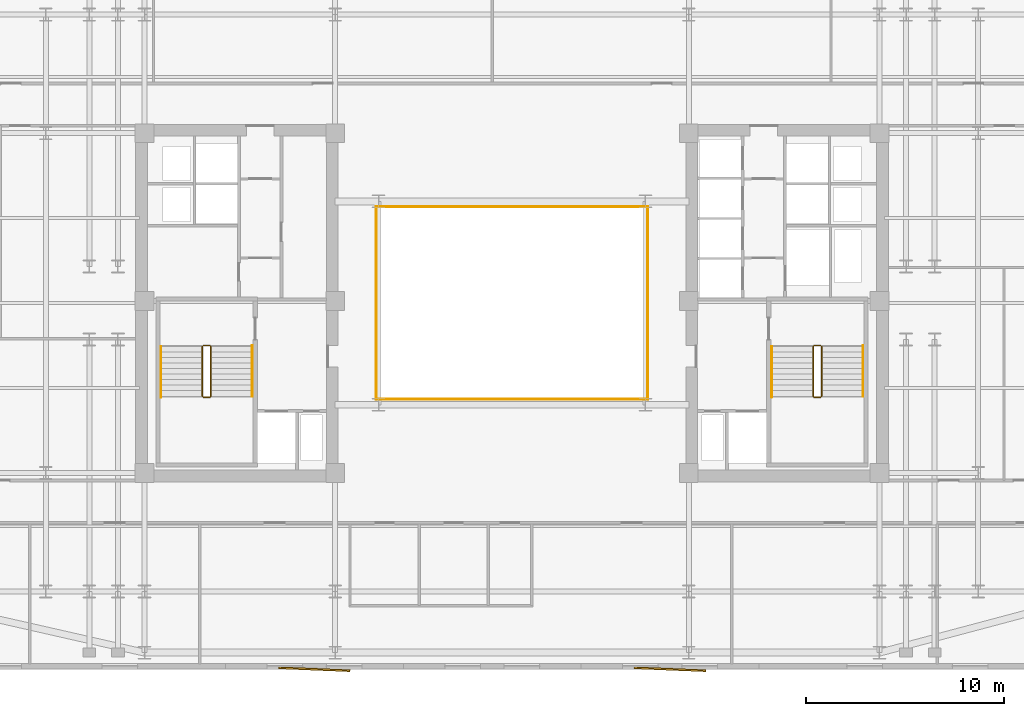
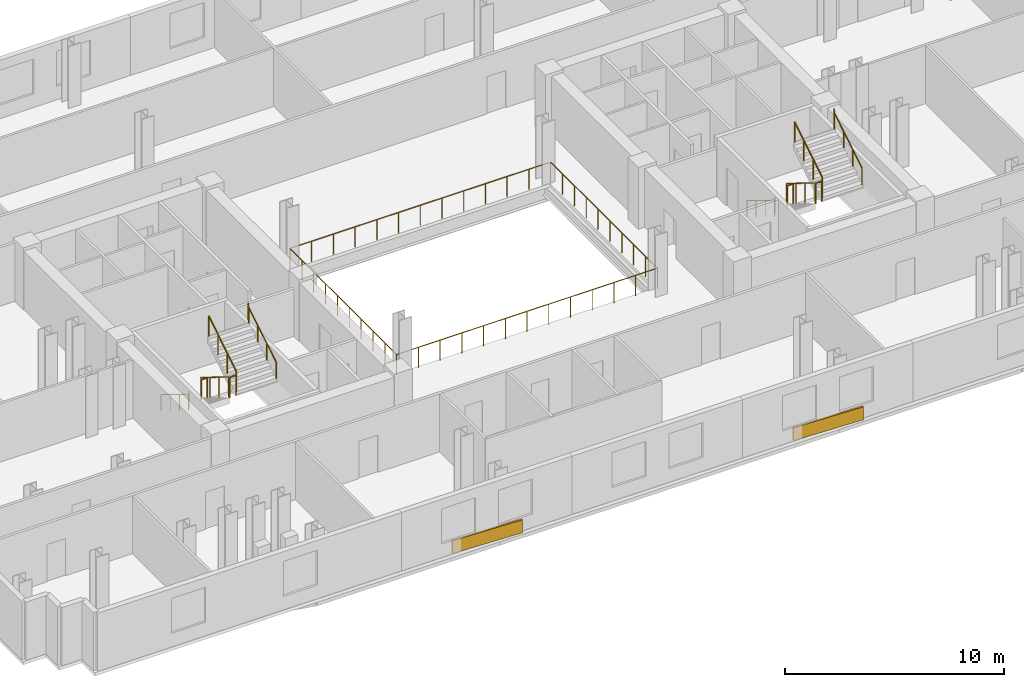
# One storey, part 9 of 10: 16 railings, 2 coverings.
"""IFC4 building model written with IfcOpenShell, lengths in metres."""

from ifc_helpers import new_model, si_unit, direction, frame, origin, origin_2d, place, context, subcontext, project, spatial, rectangle, circle, extrude, material, layer, layer_set, type_object, element, save


model = new_model("IFC4")

# Units and contexts
model_context = context("Model", 3, precision=1e-05, world=origin(), true_north=direction((0.0, 1.0)))
body_context = subcontext(model_context, "Body", "Model", "MODEL_VIEW")
ifc_project = project(units=[si_unit("LENGTHUNIT", "METRE"), si_unit("AREAUNIT", "SQUARE_METRE"), si_unit("VOLUMEUNIT", "CUBIC_METRE"), si_unit("PLANEANGLEUNIT", "RADIAN"), si_unit("MASSUNIT", "GRAM", prefix="KILO")], contexts=[model_context])

# Site, building, storey
site_placement = place(None, origin())
site = spatial("IfcSite", under=ifc_project, at=site_placement, CompositionType="ELEMENT")
building_placement = place(site_placement, origin())
building = spatial("IfcBuilding", under=site, at=building_placement, Name="Velakula Bourse", CompositionType="ELEMENT")
storey_placement = place(building_placement, frame((0.0, 0.0, 145.0)))
storey = spatial("IfcBuildingStorey", under=building, at=storey_placement, Name="L39", CompositionType="ELEMENT", Elevation=145.0)

# Coverings
ifc_material_1 = material(Name="Red kilned clay facing brick masonry", Category="masonry")
ifc_layer = layer(ifc_material_1, 0.090087890625, Name="Red kilned clay facing brick masonry", Category="masonry")
ifc_layer_set = layer_set([ifc_layer], Name="Red kilned clay facing brick masonry")
covering_type = type_object("IfcCoveringType", Name="COV-BRK-FOLD-90", PredefinedType="CLADDING", material=ifc_layer_set)
for number, where, z_axis, x_axis, name in (
    (1, (-10.0, -18.5400390625, 0.0), (0.0, 0.0, 1.0), (0.999158993058, -0.041003738744, 0.0), "L39 Folded Brick Facade Cladding Panel S-B2"),
    (2, (8.0, -18.5400390625, 0.0), (0.0, 0.0, 1.0), (0.999158993058, -0.041003738744, 0.0), "L39 Folded Brick Facade Cladding Panel S-B4"),
):
    element("IfcCovering", number, at=place(storey_placement, frame(where, z_axis=z_axis, x_axis=x_axis)), inside=storey, type_object=covering_type, Name=name, PredefinedType="CLADDING", context=body_context, shape_type="SweptSolid", body=[
        extrude(rectangle(XDim=3.60009765625, YDim=0.090087890625, at=origin_2d()), origin(), (0.0, 0.0, 1.0), 0.719970703125),
    ])

# Railings
ifc_material_2 = material(Name="Brushed grade 316 stainless steel", Category="steel")
railing_type_1 = type_object("IfcRailingType", Name="RLG-ATRIUM-1150", PredefinedType="BALUSTRADE", material=ifc_material_2)
railing_1_placement = place(storey_placement, frame((-6.8798828125, -4.8798828125, 0.0)))
element("IfcRailing", 3, at=railing_1_placement, inside=storey, type_object=railing_type_1, Name="L39 Central Trading Atrium Balustrade S", PredefinedType="BALUSTRADE", context=body_context, shape_type="SweptSolid", body=[
    extrude(circle(Radius=0.02392578125, at=origin_2d()), frame((0.0, 0.0, 1.1259765625), z_axis=(1.0, 0.0, 0.0), x_axis=(0.0, 1.0, 0.0)), (0.0, 0.0, 1.0), 13.759765625),
    extrude(circle(Radius=0.02099609375, at=origin_2d()), origin(), (0.0, 0.0, 1.0), 1.101806640625),
    extrude(circle(Radius=0.02099609375, at=origin_2d()), frame((1.146728515625, 0.0, 0.0)), (0.0, 0.0, 1.0), 1.101806640625),
    extrude(circle(Radius=0.02099609375, at=origin_2d()), frame((2.293212890625, 0.0, 0.0)), (0.0, 0.0, 1.0), 1.101806640625),
    extrude(circle(Radius=0.02099609375, at=origin_2d()), frame((3.43994140625, 0.0, 0.0)), (0.0, 0.0, 1.0), 1.101806640625),
    extrude(circle(Radius=0.02099609375, at=origin_2d()), frame((4.586669921875, 0.0, 0.0)), (0.0, 0.0, 1.0), 1.101806640625),
    extrude(circle(Radius=0.02099609375, at=origin_2d()), frame((5.733154296875, 0.0, 0.0)), (0.0, 0.0, 1.0), 1.101806640625),
    extrude(circle(Radius=0.02099609375, at=origin_2d()), frame((6.8798828125, 0.0, 0.0)), (0.0, 0.0, 1.0), 1.101806640625),
    extrude(circle(Radius=0.02099609375, at=origin_2d()), frame((8.026611328125, 0.0, 0.0)), (0.0, 0.0, 1.0), 1.101806640625),
    extrude(circle(Radius=0.02099609375, at=origin_2d()), frame((9.173095703125, 0.0, 0.0)), (0.0, 0.0, 1.0), 1.101806640625),
    extrude(circle(Radius=0.02099609375, at=origin_2d()), frame((10.31982421875, 0.0, 0.0)), (0.0, 0.0, 1.0), 1.101806640625),
    extrude(circle(Radius=0.02099609375, at=origin_2d()), frame((11.466552734375, 0.0, 0.0)), (0.0, 0.0, 1.0), 1.101806640625),
    extrude(circle(Radius=0.02099609375, at=origin_2d()), frame((12.613037109375, 0.0, 0.0)), (0.0, 0.0, 1.0), 1.101806640625),
    extrude(circle(Radius=0.02099609375, at=origin_2d()), frame((13.759765625, 0.0, 0.0)), (0.0, 0.0, 1.0), 1.101806640625),
])
railing_2_placement = place(storey_placement, frame((6.8798828125, -4.8798828125, 0.0)))
element("IfcRailing", 4, at=railing_2_placement, inside=storey, type_object=railing_type_1, Name="L39 Central Trading Atrium Balustrade E", PredefinedType="BALUSTRADE", context=body_context, shape_type="SweptSolid", body=[
    extrude(circle(Radius=0.02392578125, at=origin_2d()), frame((0.0, 0.0, 1.1259765625), z_axis=(0.0, 1.0, 0.0), x_axis=(-1.0, 0.0, 0.0)), (0.0, 0.0, 1.0), 9.759765625),
    extrude(circle(Radius=0.02099609375, at=origin_2d()), origin(), (0.0, 0.0, 1.0), 1.101806640625),
    extrude(circle(Radius=0.02099609375, at=origin_2d()), frame((0.0, 1.08447265625, 0.0)), (0.0, 0.0, 1.0), 1.101806640625),
    extrude(circle(Radius=0.02099609375, at=origin_2d()), frame((0.0, 2.1689453125, 0.0)), (0.0, 0.0, 1.0), 1.101806640625),
    extrude(circle(Radius=0.02099609375, at=origin_2d()), frame((0.0, 3.253173828125, 0.0)), (0.0, 0.0, 1.0), 1.101806640625),
    extrude(circle(Radius=0.02099609375, at=origin_2d()), frame((0.0, 4.337646484375, 0.0)), (0.0, 0.0, 1.0), 1.101806640625),
    extrude(circle(Radius=0.02099609375, at=origin_2d()), frame((0.0, 5.422119140625, 0.0)), (0.0, 0.0, 1.0), 1.101806640625),
    extrude(circle(Radius=0.02099609375, at=origin_2d()), frame((0.0, 6.506591796875, 0.0)), (0.0, 0.0, 1.0), 1.101806640625),
    extrude(circle(Radius=0.02099609375, at=origin_2d()), frame((0.0, 7.5908203125, 0.0)), (0.0, 0.0, 1.0), 1.101806640625),
    extrude(circle(Radius=0.02099609375, at=origin_2d()), frame((0.0, 8.67529296875, 0.0)), (0.0, 0.0, 1.0), 1.101806640625),
    extrude(circle(Radius=0.02099609375, at=origin_2d()), frame((0.0, 9.759765625, 0.0)), (0.0, 0.0, 1.0), 1.101806640625),
])
railing_3_placement = place(storey_placement, frame((6.8798828125, 4.8798828125, 0.0)))
element("IfcRailing", 5, at=railing_3_placement, inside=storey, type_object=railing_type_1, Name="L39 Central Trading Atrium Balustrade N", PredefinedType="BALUSTRADE", context=body_context, shape_type="SweptSolid", body=[
    extrude(circle(Radius=0.02392578125, at=origin_2d()), frame((0.0, 0.0, 1.1259765625), z_axis=(-1.0, 0.0, 0.0), x_axis=(0.0, -1.0, 0.0)), (0.0, 0.0, 1.0), 13.759765625),
    extrude(circle(Radius=0.02099609375, at=origin_2d()), origin(), (0.0, 0.0, 1.0), 1.101806640625),
    extrude(circle(Radius=0.02099609375, at=origin_2d()), frame((-1.146728515625, 0.0, 0.0)), (0.0, 0.0, 1.0), 1.101806640625),
    extrude(circle(Radius=0.02099609375, at=origin_2d()), frame((-2.293212890625, 0.0, 0.0)), (0.0, 0.0, 1.0), 1.101806640625),
    extrude(circle(Radius=0.02099609375, at=origin_2d()), frame((-3.43994140625, 0.0, 0.0)), (0.0, 0.0, 1.0), 1.101806640625),
    extrude(circle(Radius=0.02099609375, at=origin_2d()), frame((-4.586669921875, 0.0, 0.0)), (0.0, 0.0, 1.0), 1.101806640625),
    extrude(circle(Radius=0.02099609375, at=origin_2d()), frame((-5.733154296875, 0.0, 0.0)), (0.0, 0.0, 1.0), 1.101806640625),
    extrude(circle(Radius=0.02099609375, at=origin_2d()), frame((-6.8798828125, 0.0, 0.0)), (0.0, 0.0, 1.0), 1.101806640625),
    extrude(circle(Radius=0.02099609375, at=origin_2d()), frame((-8.026611328125, 0.0, 0.0)), (0.0, 0.0, 1.0), 1.101806640625),
    extrude(circle(Radius=0.02099609375, at=origin_2d()), frame((-9.173095703125, 0.0, 0.0)), (0.0, 0.0, 1.0), 1.101806640625),
    extrude(circle(Radius=0.02099609375, at=origin_2d()), frame((-10.31982421875, 0.0, 0.0)), (0.0, 0.0, 1.0), 1.101806640625),
    extrude(circle(Radius=0.02099609375, at=origin_2d()), frame((-11.466552734375, 0.0, 0.0)), (0.0, 0.0, 1.0), 1.101806640625),
    extrude(circle(Radius=0.02099609375, at=origin_2d()), frame((-12.613037109375, 0.0, 0.0)), (0.0, 0.0, 1.0), 1.101806640625),
    extrude(circle(Radius=0.02099609375, at=origin_2d()), frame((-13.759765625, 0.0, 0.0)), (0.0, 0.0, 1.0), 1.101806640625),
])
railing_4_placement = place(storey_placement, frame((-6.8798828125, 4.8798828125, 0.0)))
element("IfcRailing", 6, at=railing_4_placement, inside=storey, type_object=railing_type_1, Name="L39 Central Trading Atrium Balustrade W", PredefinedType="BALUSTRADE", context=body_context, shape_type="SweptSolid", body=[
    extrude(circle(Radius=0.02392578125, at=origin_2d()), frame((0.0, 0.0, 1.1259765625), z_axis=(0.0, -1.0, 0.0), x_axis=(1.0, 0.0, 0.0)), (0.0, 0.0, 1.0), 9.759765625),
    extrude(circle(Radius=0.02099609375, at=origin_2d()), origin(), (0.0, 0.0, 1.0), 1.101806640625),
    extrude(circle(Radius=0.02099609375, at=origin_2d()), frame((0.0, -1.08447265625, 0.0)), (0.0, 0.0, 1.0), 1.101806640625),
    extrude(circle(Radius=0.02099609375, at=origin_2d()), frame((0.0, -2.1689453125, 0.0)), (0.0, 0.0, 1.0), 1.101806640625),
    extrude(circle(Radius=0.02099609375, at=origin_2d()), frame((0.0, -3.253173828125, 0.0)), (0.0, 0.0, 1.0), 1.101806640625),
    extrude(circle(Radius=0.02099609375, at=origin_2d()), frame((0.0, -4.337646484375, 0.0)), (0.0, 0.0, 1.0), 1.101806640625),
    extrude(circle(Radius=0.02099609375, at=origin_2d()), frame((0.0, -5.422119140625, 0.0)), (0.0, 0.0, 1.0), 1.101806640625),
    extrude(circle(Radius=0.02099609375, at=origin_2d()), frame((0.0, -6.506591796875, 0.0)), (0.0, 0.0, 1.0), 1.101806640625),
    extrude(circle(Radius=0.02099609375, at=origin_2d()), frame((0.0, -7.5908203125, 0.0)), (0.0, 0.0, 1.0), 1.101806640625),
    extrude(circle(Radius=0.02099609375, at=origin_2d()), frame((0.0, -8.67529296875, 0.0)), (0.0, 0.0, 1.0), 1.101806640625),
    extrude(circle(Radius=0.02099609375, at=origin_2d()), frame((0.0, -9.759765625, 0.0)), (0.0, 0.0, 1.0), 1.101806640625),
])
railing_type_2 = type_object("IfcRailingType", Name="RLG-STAIR-GUARD-1150", PredefinedType="BALUSTRADE", material=ifc_material_2)
railing_5_placement = place(storey_placement, frame((-15.672119140625, -2.199951171875, 0.172607421875)))
element("IfcRailing", 7, at=railing_5_placement, inside=storey, type_object=railing_type_2, Name="L39 ST-W1 stair guard 1", PredefinedType="BALUSTRADE", context=body_context, shape_type="SweptSolid", body=[
    extrude(circle(Radius=0.02490234375, at=origin_2d()), frame((0.0, 0.0, 1.125), z_axis=(0.0, -0.851400495292, 0.524516154772), x_axis=(1.0, 0.0, 0.0)), (0.0, 0.0, 1.0), 2.9599609375),
    extrude(circle(Radius=0.02099609375, at=origin_2d()), origin(), (0.0, 0.0, 1.0), 1.099853515625),
    extrude(circle(Radius=0.02099609375, at=origin_2d()), frame((0.0, -0.840087890625, 0.517578125)), (0.0, 0.0, 1.0), 1.099853515625),
    extrude(circle(Radius=0.02099609375, at=origin_2d()), frame((0.0, -1.679931640625, 1.034912109375)), (0.0, 0.0, 1.0), 1.099853515625),
    extrude(circle(Radius=0.02099609375, at=origin_2d()), frame((0.0, -2.52001953125, 1.552490234375)), (0.0, 0.0, 1.0), 1.099853515625),
])
railing_6_placement = place(storey_placement, frame((-15.6220703125, -4.77001953125, 1.72509765625)))
element("IfcRailing", 8, at=railing_6_placement, inside=storey, type_object=railing_type_2, Name="L39 ST-W1 stair guard 2", PredefinedType="BALUSTRADE", context=body_context, shape_type="SweptSolid", body=[
    extrude(circle(Radius=0.02490234375, at=origin_2d()), frame((0.0, 0.0, 1.125), z_axis=(1.0, 0.0, 0.0), x_axis=(0.0, 1.0, 0.0)), (0.0, 0.0, 1.0), 0.323974609375),
    extrude(circle(Radius=0.02099609375, at=origin_2d()), origin(), (0.0, 0.0, 1.0), 1.099853515625),
    extrude(circle(Radius=0.02099609375, at=origin_2d()), frame((0.323974609375, 0.0, 0.0)), (0.0, 0.0, 1.0), 1.099853515625),
])
railing_7_placement = place(storey_placement, frame((-15.248046875, -4.719970703125, 1.8974609375)))
element("IfcRailing", 9, at=railing_7_placement, inside=storey, type_object=railing_type_2, Name="L39 ST-W1 stair guard 3", PredefinedType="BALUSTRADE", context=body_context, shape_type="SweptSolid", body=[
    extrude(circle(Radius=0.02490234375, at=origin_2d()), frame((0.0, 0.0, 1.125), z_axis=(0.0, 0.851400495292, 0.524516154772), x_axis=(-1.0, 0.0, 0.0)), (0.0, 0.0, 1.0), 2.9599609375),
    extrude(circle(Radius=0.02099609375, at=origin_2d()), origin(), (0.0, 0.0, 1.0), 1.099853515625),
    extrude(circle(Radius=0.02099609375, at=origin_2d()), frame((0.0, 0.840087890625, 0.517578125)), (0.0, 0.0, 1.0), 1.099853515625),
    extrude(circle(Radius=0.02099609375, at=origin_2d()), frame((0.0, 1.679931640625, 1.034912109375)), (0.0, 0.0, 1.0), 1.099853515625),
    extrude(circle(Radius=0.02099609375, at=origin_2d()), frame((0.0, 2.52001953125, 1.552490234375)), (0.0, 0.0, 1.0), 1.099853515625),
])
railing_8_placement = place(storey_placement, frame((-15.6220703125, -2.14990234375, 0.0)))
element("IfcRailing", 10, at=railing_8_placement, inside=storey, type_object=railing_type_2, Name="L39 ST-W1 stair guard 4", PredefinedType="BALUSTRADE", context=body_context, shape_type="SweptSolid", body=[
    extrude(circle(Radius=0.02490234375, at=origin_2d()), frame((0.0, 0.0, 1.125), z_axis=(1.0, 0.0, 0.0), x_axis=(0.0, 1.0, 0.0)), (0.0, 0.0, 1.0), 0.323974609375),
    extrude(circle(Radius=0.02099609375, at=origin_2d()), origin(), (0.0, 0.0, 1.0), 1.099853515625),
    extrude(circle(Radius=0.02099609375, at=origin_2d()), frame((0.323974609375, 0.0, 0.0)), (0.0, 0.0, 1.0), 1.099853515625),
])
railing_9_placement = place(storey_placement, frame((15.248046875, -2.199951171875, 0.172607421875)))
element("IfcRailing", 11, at=railing_9_placement, inside=storey, type_object=railing_type_2, Name="L39 ST-E1 stair guard 1", PredefinedType="BALUSTRADE", context=body_context, shape_type="SweptSolid", body=[
    extrude(circle(Radius=0.02490234375, at=origin_2d()), frame((0.0, 0.0, 1.125), z_axis=(0.0, -0.851400495292, 0.524516154772), x_axis=(1.0, 0.0, 0.0)), (0.0, 0.0, 1.0), 2.9599609375),
    extrude(circle(Radius=0.02099609375, at=origin_2d()), origin(), (0.0, 0.0, 1.0), 1.099853515625),
    extrude(circle(Radius=0.02099609375, at=origin_2d()), frame((0.0, -0.840087890625, 0.517578125)), (0.0, 0.0, 1.0), 1.099853515625),
    extrude(circle(Radius=0.02099609375, at=origin_2d()), frame((0.0, -1.679931640625, 1.034912109375)), (0.0, 0.0, 1.0), 1.099853515625),
    extrude(circle(Radius=0.02099609375, at=origin_2d()), frame((0.0, -2.52001953125, 1.552490234375)), (0.0, 0.0, 1.0), 1.099853515625),
])
railing_10_placement = place(storey_placement, frame((15.298095703125, -4.77001953125, 1.72509765625)))
element("IfcRailing", 12, at=railing_10_placement, inside=storey, type_object=railing_type_2, Name="L39 ST-E1 stair guard 2", PredefinedType="BALUSTRADE", context=body_context, shape_type="SweptSolid", body=[
    extrude(circle(Radius=0.02490234375, at=origin_2d()), frame((0.0, 0.0, 1.125), z_axis=(1.0, 0.0, 0.0), x_axis=(0.0, 1.0, 0.0)), (0.0, 0.0, 1.0), 0.323974609375),
    extrude(circle(Radius=0.02099609375, at=origin_2d()), origin(), (0.0, 0.0, 1.0), 1.099853515625),
    extrude(circle(Radius=0.02099609375, at=origin_2d()), frame((0.323974609375, 0.0, 0.0)), (0.0, 0.0, 1.0), 1.099853515625),
])
railing_11_placement = place(storey_placement, frame((15.672119140625, -4.719970703125, 1.8974609375)))
element("IfcRailing", 13, at=railing_11_placement, inside=storey, type_object=railing_type_2, Name="L39 ST-E1 stair guard 3", PredefinedType="BALUSTRADE", context=body_context, shape_type="SweptSolid", body=[
    extrude(circle(Radius=0.02490234375, at=origin_2d()), frame((0.0, 0.0, 1.125), z_axis=(0.0, 0.851400495292, 0.524516154772), x_axis=(-1.0, 0.0, 0.0)), (0.0, 0.0, 1.0), 2.9599609375),
    extrude(circle(Radius=0.02099609375, at=origin_2d()), origin(), (0.0, 0.0, 1.0), 1.099853515625),
    extrude(circle(Radius=0.02099609375, at=origin_2d()), frame((0.0, 0.840087890625, 0.517578125)), (0.0, 0.0, 1.0), 1.099853515625),
    extrude(circle(Radius=0.02099609375, at=origin_2d()), frame((0.0, 1.679931640625, 1.034912109375)), (0.0, 0.0, 1.0), 1.099853515625),
    extrude(circle(Radius=0.02099609375, at=origin_2d()), frame((0.0, 2.52001953125, 1.552490234375)), (0.0, 0.0, 1.0), 1.099853515625),
])
railing_12_placement = place(storey_placement, frame((15.298095703125, -2.14990234375, 0.0)))
element("IfcRailing", 14, at=railing_12_placement, inside=storey, type_object=railing_type_2, Name="L39 ST-E1 stair guard 4", PredefinedType="BALUSTRADE", context=body_context, shape_type="SweptSolid", body=[
    extrude(circle(Radius=0.02490234375, at=origin_2d()), frame((0.0, 0.0, 1.125), z_axis=(1.0, 0.0, 0.0), x_axis=(0.0, 1.0, 0.0)), (0.0, 0.0, 1.0), 0.323974609375),
    extrude(circle(Radius=0.02099609375, at=origin_2d()), origin(), (0.0, 0.0, 1.0), 1.099853515625),
    extrude(circle(Radius=0.02099609375, at=origin_2d()), frame((0.323974609375, 0.0, 0.0)), (0.0, 0.0, 1.0), 1.099853515625),
])
railing_type_3 = type_object("IfcRailingType", Name="RLG-STAIR-HAND-920", PredefinedType="HANDRAIL", material=ifc_material_2)
railing_13_placement = place(storey_placement, frame((-17.77001953125, -2.199951171875, 0.172607421875)))
element("IfcRailing", 15, at=railing_13_placement, inside=storey, type_object=railing_type_3, Name="L39 ST-W1 stair handrail 1", PredefinedType="HANDRAIL", context=body_context, shape_type="SweptSolid", body=[
    extrude(circle(Radius=0.02099609375, at=origin_2d()), frame((0.0, 0.0, 0.89892578125), z_axis=(0.0, -0.851400495292, 0.524516154772), x_axis=(1.0, 0.0, 0.0)), (0.0, 0.0, 1.0), 2.9599609375),
    extrude(circle(Radius=0.02099609375, at=origin_2d()), frame((0.0, -2.52001953125, 2.451416015625), z_axis=(0.0, -0.226269970362, 0.974064628509), x_axis=(1.0, 0.0, 0.0)), (0.0, 0.0, 1.0), 0.177001953125),
    extrude(circle(Radius=0.02099609375, at=origin_2d()), frame((0.0, -2.56005859375, 2.623779296875), z_axis=(0.0, -1.0, 0.0), x_axis=(1.0, 0.0, 0.0)), (0.0, 0.0, 1.0), 0.0048828125),
    extrude(circle(Radius=0.02099609375, at=origin_2d()), origin(), (0.0, 0.0, 1.0), 0.8779296875),
    extrude(circle(Radius=0.02099609375, at=origin_2d()), frame((0.0, -0.840087890625, 0.517578125)), (0.0, 0.0, 1.0), 0.8779296875),
    extrude(circle(Radius=0.02099609375, at=origin_2d()), frame((0.0, -1.679931640625, 1.034912109375)), (0.0, 0.0, 1.0), 0.8779296875),
    extrude(circle(Radius=0.02099609375, at=origin_2d()), frame((0.0, -2.52001953125, 1.552490234375)), (0.0, 0.0, 1.0), 0.8779296875),
    extrude(circle(Radius=0.02099609375, at=origin_2d()), frame((0.0, -2.56005859375, 1.724853515625)), (0.0, 0.0, 1.0), 0.8779296875),
    extrude(circle(Radius=0.02099609375, at=origin_2d()), frame((0.0, -2.56494140625, 1.724853515625)), (0.0, 0.0, 1.0), 0.8779296875),
])
railing_14_placement = place(storey_placement, frame((-13.14990234375, -4.719970703125, 1.8974609375)))
element("IfcRailing", 16, at=railing_14_placement, inside=storey, type_object=railing_type_3, Name="L39 ST-W1 stair handrail 2", PredefinedType="HANDRAIL", context=body_context, shape_type="SweptSolid", body=[
    extrude(circle(Radius=0.02099609375, at=origin_2d()), frame((0.0, 0.0, 0.89892578125), z_axis=(0.0, 0.851400495292, 0.524516154772), x_axis=(-1.0, 0.0, 0.0)), (0.0, 0.0, 1.0), 2.9599609375),
    extrude(circle(Radius=0.02099609375, at=origin_2d()), frame((0.0, 2.52001953125, 2.451416015625), z_axis=(0.0, 0.22596628056, 0.974135124123), x_axis=(-1.0, 0.0, 0.0)), (0.0, 0.0, 1.0), 0.17724609375),
    extrude(circle(Radius=0.02099609375, at=origin_2d()), frame((0.0, 2.56005859375, 2.6240234375), z_axis=(0.0, 1.0, 0.0), x_axis=(-1.0, 0.0, 0.0)), (0.0, 0.0, 1.0), 0.0048828125),
    extrude(circle(Radius=0.02099609375, at=origin_2d()), origin(), (0.0, 0.0, 1.0), 0.8779296875),
    extrude(circle(Radius=0.02099609375, at=origin_2d()), frame((0.0, 0.840087890625, 0.517578125)), (0.0, 0.0, 1.0), 0.8779296875),
    extrude(circle(Radius=0.02099609375, at=origin_2d()), frame((0.0, 1.679931640625, 1.034912109375)), (0.0, 0.0, 1.0), 0.8779296875),
    extrude(circle(Radius=0.02099609375, at=origin_2d()), frame((0.0, 2.52001953125, 1.552490234375)), (0.0, 0.0, 1.0), 0.8779296875),
    extrude(circle(Radius=0.02099609375, at=origin_2d()), frame((0.0, 2.56005859375, 1.72509765625)), (0.0, 0.0, 1.0), 0.8779296875),
    extrude(circle(Radius=0.02099609375, at=origin_2d()), frame((0.0, 2.56494140625, 1.72509765625)), (0.0, 0.0, 1.0), 0.8779296875),
])
railing_15_placement = place(storey_placement, frame((13.14990234375, -2.199951171875, 0.172607421875)))
element("IfcRailing", 17, at=railing_15_placement, inside=storey, type_object=railing_type_3, Name="L39 ST-E1 stair handrail 1", PredefinedType="HANDRAIL", context=body_context, shape_type="SweptSolid", body=[
    extrude(circle(Radius=0.02099609375, at=origin_2d()), frame((0.0, 0.0, 0.89892578125), z_axis=(0.0, -0.851400495292, 0.524516154772), x_axis=(1.0, 0.0, 0.0)), (0.0, 0.0, 1.0), 2.9599609375),
    extrude(circle(Radius=0.02099609375, at=origin_2d()), frame((0.0, -2.52001953125, 2.451416015625), z_axis=(0.0, -0.226269970362, 0.974064628509), x_axis=(1.0, 0.0, 0.0)), (0.0, 0.0, 1.0), 0.177001953125),
    extrude(circle(Radius=0.02099609375, at=origin_2d()), frame((0.0, -2.56005859375, 2.623779296875), z_axis=(0.0, -1.0, 0.0), x_axis=(1.0, 0.0, 0.0)), (0.0, 0.0, 1.0), 0.0048828125),
    extrude(circle(Radius=0.02099609375, at=origin_2d()), origin(), (0.0, 0.0, 1.0), 0.8779296875),
    extrude(circle(Radius=0.02099609375, at=origin_2d()), frame((0.0, -0.840087890625, 0.517578125)), (0.0, 0.0, 1.0), 0.8779296875),
    extrude(circle(Radius=0.02099609375, at=origin_2d()), frame((0.0, -1.679931640625, 1.034912109375)), (0.0, 0.0, 1.0), 0.8779296875),
    extrude(circle(Radius=0.02099609375, at=origin_2d()), frame((0.0, -2.52001953125, 1.552490234375)), (0.0, 0.0, 1.0), 0.8779296875),
    extrude(circle(Radius=0.02099609375, at=origin_2d()), frame((0.0, -2.56005859375, 1.724853515625)), (0.0, 0.0, 1.0), 0.8779296875),
    extrude(circle(Radius=0.02099609375, at=origin_2d()), frame((0.0, -2.56494140625, 1.724853515625)), (0.0, 0.0, 1.0), 0.8779296875),
])
railing_16_placement = place(storey_placement, frame((17.77001953125, -4.719970703125, 1.8974609375)))
element("IfcRailing", 18, at=railing_16_placement, inside=storey, type_object=railing_type_3, Name="L39 ST-E1 stair handrail 2", PredefinedType="HANDRAIL", context=body_context, shape_type="SweptSolid", body=[
    extrude(circle(Radius=0.02099609375, at=origin_2d()), frame((0.0, 0.0, 0.89892578125), z_axis=(0.0, 0.851400495292, 0.524516154772), x_axis=(-1.0, 0.0, 0.0)), (0.0, 0.0, 1.0), 2.9599609375),
    extrude(circle(Radius=0.02099609375, at=origin_2d()), frame((0.0, 2.52001953125, 2.451416015625), z_axis=(0.0, 0.22596628056, 0.974135124123), x_axis=(-1.0, 0.0, 0.0)), (0.0, 0.0, 1.0), 0.17724609375),
    extrude(circle(Radius=0.02099609375, at=origin_2d()), frame((0.0, 2.56005859375, 2.6240234375), z_axis=(0.0, 1.0, 0.0), x_axis=(-1.0, 0.0, 0.0)), (0.0, 0.0, 1.0), 0.0048828125),
    extrude(circle(Radius=0.02099609375, at=origin_2d()), origin(), (0.0, 0.0, 1.0), 0.8779296875),
    extrude(circle(Radius=0.02099609375, at=origin_2d()), frame((0.0, 0.840087890625, 0.517578125)), (0.0, 0.0, 1.0), 0.8779296875),
    extrude(circle(Radius=0.02099609375, at=origin_2d()), frame((0.0, 1.679931640625, 1.034912109375)), (0.0, 0.0, 1.0), 0.8779296875),
    extrude(circle(Radius=0.02099609375, at=origin_2d()), frame((0.0, 2.52001953125, 1.552490234375)), (0.0, 0.0, 1.0), 0.8779296875),
    extrude(circle(Radius=0.02099609375, at=origin_2d()), frame((0.0, 2.56005859375, 1.72509765625)), (0.0, 0.0, 1.0), 0.8779296875),
    extrude(circle(Radius=0.02099609375, at=origin_2d()), frame((0.0, 2.56494140625, 1.72509765625)), (0.0, 0.0, 1.0), 0.8779296875),
])

save(model, "model.ifc")
